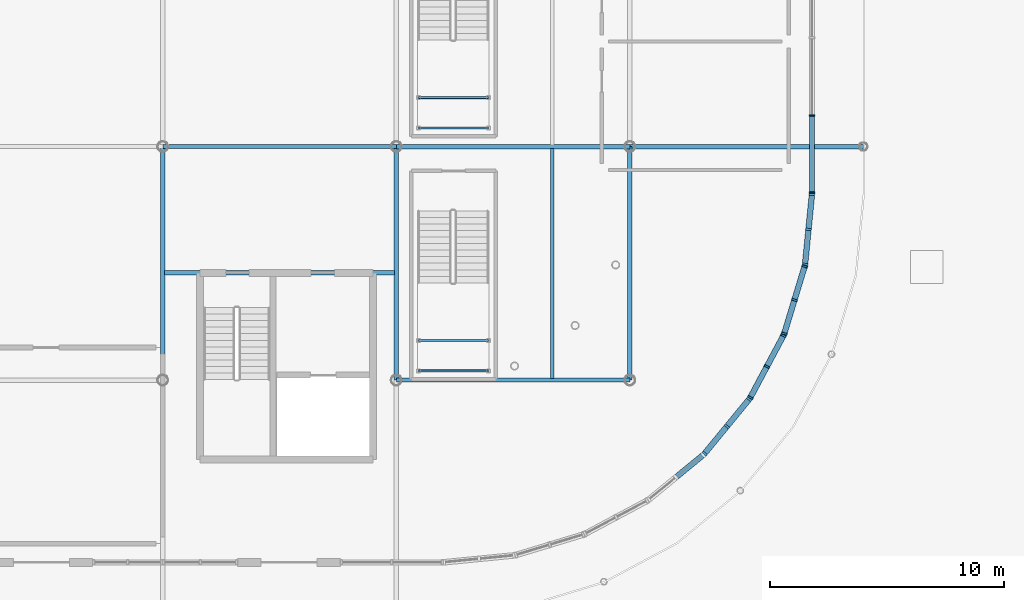
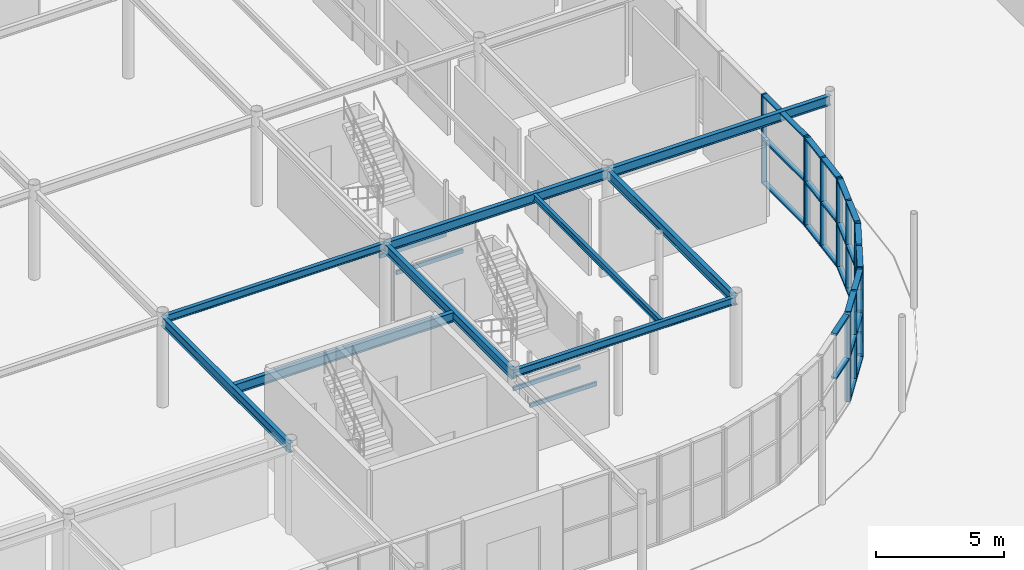
# One storey, part 65 of 119: 43 members, 13 beams, 6 elements without a shape of their own.
"""IFC4 building model written with IfcOpenShell, lengths in metres."""

from ifc_helpers import new_model, si_unit, derived_unit, direction, frame, origin, origin_2d_with_axis, place, context, subcontext, project, spatial, rectangle, hollow_rectangle, i_section, extrude, material, material_profile, profile_set, type_object, element, aggregate, save


model = new_model("IFC4")

# Units and contexts
model_context = context("Model", 3, precision=1e-05, world=origin(), true_north=direction((0.0, 1.0)))
body_context = subcontext(model_context, "Body", "Model", "MODEL_VIEW")
ifc_project = project(units=[si_unit("LENGTHUNIT", "METRE"), si_unit("AREAUNIT", "SQUARE_METRE"), si_unit("VOLUMEUNIT", "CUBIC_METRE"), si_unit("PLANEANGLEUNIT", "RADIAN"), si_unit("MASSUNIT", "GRAM", prefix="KILO"), derived_unit("THERMALTRANSMITTANCEUNIT", [(si_unit("POWERUNIT", "WATT"), 1), (si_unit("LENGTHUNIT", "METRE"), -2), (si_unit("THERMODYNAMICTEMPERATUREUNIT", "KELVIN"), -1)])], contexts=[model_context])

# Site, building, storey
site_placement = place(None, origin())
site = spatial("IfcSite", under=ifc_project, at=site_placement, CompositionType="ELEMENT")
building_placement = place(site_placement, origin())
building = spatial("IfcBuilding", under=site, at=building_placement, Name="Cinnabar Yard Market Hall", CompositionType="ELEMENT")
storey_placement = place(building_placement, origin())
storey = spatial("IfcBuildingStorey", under=building, at=storey_placement, Name="L00", CompositionType="ELEMENT", Elevation=0.0)

# Beams
ifc_material_1 = material(Name="Steel Grade 300 (300 MPa)", Category="steel")
ifc_material_profile_1 = material_profile(ifc_material_1, i_section(OverallWidth=0.18994140625, OverallDepth=0.453857421875, WebThickness=0.008544921875, FlangeThickness=0.0126953125, FilletRadius=0.011474609375, at=origin_2d_with_axis()), Name="460UB67.1")
ifc_profile_set_1 = profile_set([ifc_material_profile_1], Name="Steel Grade 300 (300 MPa)")
beam_type_1 = type_object("IfcBeamType", Name="BM-B05", PredefinedType="BEAM", material=ifc_profile_set_1)
beam_1_placement = place(storey_placement, frame((136.080078125, 28.60009765625, 4.01318359375), z_axis=(1.0, 0.0, 0.0), x_axis=(0.0, 1.0, 0.0)))
element("IfcBeam", 1, at=beam_1_placement, inside=storey, type_object=beam_type_1, Name="L00 Core Trimmer Girder 00141", PredefinedType="BEAM", context=body_context, shape_type="SweptSolid", body=[
    extrude(i_section(OverallWidth=0.18994140625, OverallDepth=0.453857421875, WebThickness=0.008544921875, FlangeThickness=0.0126953125, FilletRadius=0.011474609375, at=origin_2d_with_axis()), origin(), (0.0, 0.0, 1.0), 9.83984375),
])
for number, where, z_axis, x_axis, name in (
    (2, (136.0, 24.0, 4.01318359375), (0.0, 1.0, 0.0), (-1.0, 0.0, 0.0), "L00 Gallery Girder Y 00233"),
    (3, (146.0, 24.0, 4.01318359375), (0.0, 1.0, 0.0), (-1.0, 0.0, 0.0), "L00 Gallery Girder Y 00237"),
    (4, (156.0, 24.0, 4.01318359375), (0.0, 1.0, 0.0), (-1.0, 0.0, 0.0), "L00 Gallery Girder Y 00247"),
):
    element("IfcBeam", number, at=place(storey_placement, frame(where, z_axis=z_axis, x_axis=x_axis)), inside=storey, type_object=beam_type_1, Name=name, PredefinedType="BEAM", context=body_context, shape_type="SweptSolid", body=[
        extrude(i_section(OverallWidth=0.18994140625, OverallDepth=0.453857421875, WebThickness=0.008544921875, FlangeThickness=0.0126953125, FilletRadius=0.011474609375, at=origin_2d_with_axis()), origin(), (0.0, 0.0, 1.0), 10.0),
    ])
ifc_material_profile_2 = material_profile(ifc_material_1, i_section(OverallWidth=0.18994140625, OverallDepth=0.453857421875, WebThickness=0.008544921875, FlangeThickness=0.0126953125, FilletRadius=0.011474609375, at=origin_2d_with_axis()), Name="460UB67.1")
ifc_profile_set_2 = profile_set([ifc_material_profile_2], Name="Steel Grade 300 (300 MPa)")
beam_type_2 = type_object("IfcBeamType", Name="BM-B05E", PredefinedType="BEAM", material=ifc_profile_set_2)
beam_2_placement = place(storey_placement, frame((156.0, 34.0, 4.01318359375), z_axis=(1.0, 0.0, 0.0), x_axis=(0.0, 1.0, 0.0)))
element("IfcBeam", 5, at=beam_2_placement, inside=storey, type_object=beam_type_2, Name="L00 Gallery East Tie 00197", PredefinedType="BEAM", context=body_context, shape_type="SweptSolid", body=[
    extrude(i_section(OverallWidth=0.18994140625, OverallDepth=0.453857421875, WebThickness=0.008544921875, FlangeThickness=0.0126953125, FilletRadius=0.011474609375, at=origin_2d_with_axis()), origin(), (0.0, 0.0, 1.0), 10.0),
])
ifc_material_profile_3 = material_profile(ifc_material_1, i_section(OverallWidth=0.1708984375, OverallDepth=0.35205078125, WebThickness=0.0068359375, FlangeThickness=0.009765625, FilletRadius=0.011474609375, at=origin_2d_with_axis()), Name="360UB44.7")
ifc_profile_set_3 = profile_set([ifc_material_profile_3], Name="Steel Grade 300 (300 MPa)")
beam_type_3 = type_object("IfcBeamType", Name="BM-B11", PredefinedType="BEAM", material=ifc_profile_set_3)
for number, where, z_axis, x_axis, name in (
    (6, (136.0, 34.0, 4.06396484375), (1.0, 0.0, 0.0), (0.0, 1.0, 0.0), "L00 Gallery Girder X 00174"),
    (7, (146.0, 24.0, 4.06396484375), (1.0, 0.0, 0.0), (0.0, 1.0, 0.0), "L00 Gallery Girder X 00177"),
):
    element("IfcBeam", number, at=place(storey_placement, frame(where, z_axis=z_axis, x_axis=x_axis)), inside=storey, type_object=beam_type_3, Name=name, PredefinedType="BEAM", context=body_context, shape_type="SweptSolid", body=[
        extrude(i_section(OverallWidth=0.1708984375, OverallDepth=0.35205078125, WebThickness=0.0068359375, FlangeThickness=0.009765625, FilletRadius=0.011474609375, at=origin_2d_with_axis()), origin(), (0.0, 0.0, 1.0), 10.0),
    ])
ifc_material_profile_4 = material_profile(ifc_material_1, i_section(OverallWidth=0.18994140625, OverallDepth=0.453857421875, WebThickness=0.008544921875, FlangeThickness=0.0126953125, FilletRadius=0.011474609375, at=origin_2d_with_axis()), Name="460UB67.1")
ifc_profile_set_4 = profile_set([ifc_material_profile_4], Name="Steel Grade 300 (300 MPa)")
beam_type_4 = type_object("IfcBeamType", Name="BM-B14", PredefinedType="BEAM", material=ifc_profile_set_4)
beam_3_placement = place(storey_placement, frame((146.0, 34.0, 4.01318359375), z_axis=(1.0, 0.0, 0.0), x_axis=(0.0, 1.0, 0.0)))
element("IfcBeam", 8, at=beam_3_placement, inside=storey, type_object=beam_type_4, Name="L00 Gallery Girder X 00178", PredefinedType="BEAM", context=body_context, shape_type="SweptSolid", body=[
    extrude(i_section(OverallWidth=0.18994140625, OverallDepth=0.453857421875, WebThickness=0.008544921875, FlangeThickness=0.0126953125, FilletRadius=0.011474609375, at=origin_2d_with_axis()), origin(), (0.0, 0.0, 1.0), 10.0),
])
ifc_material_profile_5 = material_profile(ifc_material_1, i_section(OverallWidth=0.14892578125, OverallDepth=0.298095703125, WebThickness=0.005615234375, FlangeThickness=0.008056640625, FilletRadius=0.0087890625, at=origin_2d_with_axis()), Name="310UB32.0")
ifc_profile_set_5 = profile_set([ifc_material_profile_5], Name="Steel Grade 300 (300 MPa)")
beam_type_5 = type_object("IfcBeamType", Name="BM-J02", PredefinedType="JOIST", material=ifc_profile_set_5)
beam_4_placement = place(storey_placement, frame((152.669921875, 24.074951171875, 4.091064453125), z_axis=(0.0, 1.0, 0.0), x_axis=(-1.0, 0.0, 0.0)))
element("IfcBeam", 9, at=beam_4_placement, inside=storey, type_object=beam_type_5, Name="L00 Gallery Joist 00238", PredefinedType="JOIST", context=body_context, shape_type="SweptSolid", body=[
    extrude(i_section(OverallWidth=0.14892578125, OverallDepth=0.298095703125, WebThickness=0.005615234375, FlangeThickness=0.008056640625, FilletRadius=0.0087890625, at=origin_2d_with_axis()), origin(), (0.0, 0.0, 1.0), 9.85009765625),
])
ifc_material_2 = material(Name="Cold-formed steel C350L0", Category="steel")
ifc_material_profile_6 = material_profile(ifc_material_2, hollow_rectangle(XDim=0.10009765625, YDim=0.199951171875, WallThickness=0.006103515625, InnerFilletRadius=0.006103515625, OuterFilletRadius=0.011962890625, at=origin_2d_with_axis()), Name="200x100x6.0RHS")
ifc_profile_set_6 = profile_set([ifc_material_profile_6], Name="Cold-formed steel C350L0")
beam_type_6 = type_object("IfcBeamType", Name="BM-LN01", PredefinedType="LINTEL", material=ifc_profile_set_6)
for number, where, z_axis, x_axis, name in (
    (10, (146.949951171875, 34.800048828125, 1.949951171875), (1.0, 0.0, 0.0), (0.0, 1.0, 0.0), "Feature Stair Landing Beam S ST-F2 L00"),
    (11, (146.949951171875, 36.10009765625, 1.949951171875), (1.0, 0.0, 0.0), (0.0, 1.0, 0.0), "Feature Stair Landing Beam N ST-F2 L00"),
    (12, (146.949951171875, 24.39990234375, 1.949951171875), (1.0, 0.0, 0.0), (0.0, 1.0, 0.0), "Feature Stair Landing Beam S ST-F5 L00"),
    (13, (146.949951171875, 25.699951171875, 1.949951171875), (1.0, 0.0, 0.0), (0.0, 1.0, 0.0), "Feature Stair Landing Beam N ST-F5 L00"),
):
    element("IfcBeam", number, at=place(storey_placement, frame(where, z_axis=z_axis, x_axis=x_axis)), inside=storey, type_object=beam_type_6, Name=name, PredefinedType="LINTEL", context=body_context, shape_type="SweptSolid", body=[
        extrude(hollow_rectangle(XDim=0.10009765625, YDim=0.199951171875, WallThickness=0.006103515625, InnerFilletRadius=0.006103515625, OuterFilletRadius=0.011962890625, at=origin_2d_with_axis()), origin(), (0.0, 0.0, 1.0), 3.0),
    ])

# Curtain wall, members
ifc_material_3 = material(Name="Anodised bronze aluminium curved-chord facade", Category="aluminium")
curtain_wall_type_1 = type_object("IfcCurtainWallType", Name="CW-CWC031x42", PredefinedType="NOTDEFINED", material=ifc_material_3)
curtain_wall_1_placement = place(storey_placement, origin())
curtain_wall_1 = element("IfcCurtainWall", 14, at=curtain_wall_1_placement, inside=storey, type_object=curtain_wall_type_1, Name="Corner SE Chord 5 L00", PredefinedType="NOTDEFINED")
ifc_material_4 = material(Name="Anodised bronze aluminium", Category="aluminium")
ifc_material_profile_7 = material_profile(ifc_material_4, rectangle(XDim=0.239990234375, YDim=0.090087890625, at=origin_2d_with_axis()), Name="MUL-CWC")
ifc_profile_set_7 = profile_set([ifc_material_profile_7], Name="Anodised bronze aluminium")
member_type_1 = type_object("IfcMemberType", Name="CWM-CWC", PredefinedType="MULLION", material=ifc_profile_set_7)
member_1_placement = place(storey_placement, frame((159.200927734375, 20.862548828125, 0.0), z_axis=(0.0, 0.0, 1.0), x_axis=(-0.773018564222, 0.634383400924, 0.0)))
member_1 = element("IfcMember", 15, at=member_1_placement, type_object=member_type_1, Name="CWC031x42 mullion 1", PredefinedType="MULLION", context=body_context, shape_type="SweptSolid", body=[
    extrude(rectangle(XDim=0.239990234375, YDim=0.090087890625, at=origin_2d_with_axis()), origin(), (0.0, 0.0, 1.0), 4.239990234375),
])
member_2_placement = place(storey_placement, frame((160.15478515625, 22.02490234375, 0.0), z_axis=(0.0, 0.0, 1.0), x_axis=(-0.773018564222, 0.634383400924, 0.0)))
member_2 = element("IfcMember", 16, at=member_2_placement, type_object=member_type_1, Name="CWC031x42 mullion 2", PredefinedType="MULLION", context=body_context, shape_type="SweptSolid", body=[
    extrude(rectangle(XDim=0.239990234375, YDim=0.090087890625, at=origin_2d_with_axis()), origin(), (0.0, 0.0, 1.0), 4.239990234375),
])
member_3_placement = place(storey_placement, frame((161.108642578125, 23.187255859375, 0.0), z_axis=(0.0, 0.0, 1.0), x_axis=(-0.773018564222, 0.634383400924, 0.0)))
member_3 = element("IfcMember", 17, at=member_3_placement, type_object=member_type_1, Name="CWC031x42 mullion 3", PredefinedType="MULLION", context=body_context, shape_type="SweptSolid", body=[
    extrude(rectangle(XDim=0.239990234375, YDim=0.090087890625, at=origin_2d_with_axis()), origin(), (0.0, 0.0, 1.0), 4.239990234375),
])

curtain_wall_2_placement = place(storey_placement, origin())
curtain_wall_2 = element("IfcCurtainWall", 18, at=curtain_wall_2_placement, inside=storey, type_object=curtain_wall_type_1, Name="Corner SE Chord 6 L00", PredefinedType="NOTDEFINED")
member_4_placement = place(storey_placement, frame((161.158447265625, 23.26171875, 0.0), z_axis=(0.0, 0.0, 1.0), x_axis=(-0.881917320707, 0.471404114786, 0.0)))
member_4 = element("IfcMember", 19, at=member_4_placement, type_object=member_type_1, Name="CWC031x42 mullion 1", PredefinedType="MULLION", context=body_context, shape_type="SweptSolid", body=[
    extrude(rectangle(XDim=0.239990234375, YDim=0.090087890625, at=origin_2d_with_axis()), origin(), (0.0, 0.0, 1.0), 4.239990234375),
])
member_5_placement = place(storey_placement, frame((161.8671875, 24.587890625, 0.0), z_axis=(0.0, 0.0, 1.0), x_axis=(-0.881917320707, 0.471404114786, 0.0)))
member_5 = element("IfcMember", 20, at=member_5_placement, type_object=member_type_1, Name="CWC031x42 mullion 2", PredefinedType="MULLION", context=body_context, shape_type="SweptSolid", body=[
    extrude(rectangle(XDim=0.239990234375, YDim=0.090087890625, at=origin_2d_with_axis()), origin(), (0.0, 0.0, 1.0), 4.239990234375),
])
member_6_placement = place(storey_placement, frame((162.576171875, 25.913818359375, 0.0), z_axis=(0.0, 0.0, 1.0), x_axis=(-0.881917320707, 0.471404114786, 0.0)))
member_6 = element("IfcMember", 21, at=member_6_placement, type_object=member_type_1, Name="CWC031x42 mullion 3", PredefinedType="MULLION", context=body_context, shape_type="SweptSolid", body=[
    extrude(rectangle(XDim=0.239990234375, YDim=0.090087890625, at=origin_2d_with_axis()), origin(), (0.0, 0.0, 1.0), 4.239990234375),
])

curtain_wall_3_placement = place(storey_placement, origin())
curtain_wall_3 = element("IfcCurtainWall", 22, at=curtain_wall_3_placement, inside=storey, type_object=curtain_wall_type_1, Name="Corner SE Chord 7 L00", PredefinedType="NOTDEFINED")
member_7_placement = place(storey_placement, frame((162.6103515625, 25.99658203125, 0.0), z_axis=(0.0, 0.0, 1.0), x_axis=(-0.956942090856, 0.290278891325, 0.0)))
member_7 = element("IfcMember", 23, at=member_7_placement, type_object=member_type_1, Name="CWC031x42 mullion 1", PredefinedType="MULLION", context=body_context, shape_type="SweptSolid", body=[
    extrude(rectangle(XDim=0.239990234375, YDim=0.090087890625, at=origin_2d_with_axis()), origin(), (0.0, 0.0, 1.0), 4.239990234375),
])
member_8_placement = place(storey_placement, frame((163.046875, 27.435546875, 0.0), z_axis=(0.0, 0.0, 1.0), x_axis=(-0.956942090856, 0.290278891325, 0.0)))
member_8 = element("IfcMember", 24, at=member_8_placement, type_object=member_type_1, Name="CWC031x42 mullion 2", PredefinedType="MULLION", context=body_context, shape_type="SweptSolid", body=[
    extrude(rectangle(XDim=0.239990234375, YDim=0.090087890625, at=origin_2d_with_axis()), origin(), (0.0, 0.0, 1.0), 4.239990234375),
])
member_9_placement = place(storey_placement, frame((163.4833984375, 28.87451171875, 0.0), z_axis=(0.0, 0.0, 1.0), x_axis=(-0.956942090856, 0.290278891325, 0.0)))
member_9 = element("IfcMember", 25, at=member_9_placement, type_object=member_type_1, Name="CWC031x42 mullion 3", PredefinedType="MULLION", context=body_context, shape_type="SweptSolid", body=[
    extrude(rectangle(XDim=0.239990234375, YDim=0.090087890625, at=origin_2d_with_axis()), origin(), (0.0, 0.0, 1.0), 4.239990234375),
])

curtain_wall_4_placement = place(storey_placement, origin())
curtain_wall_4 = element("IfcCurtainWall", 26, at=curtain_wall_4_placement, inside=storey, type_object=curtain_wall_type_1, Name="Corner SE Chord 8 L00", PredefinedType="NOTDEFINED")
member_10_placement = place(storey_placement, frame((163.500732421875, 28.96240234375, 0.0), z_axis=(0.0, 0.0, 1.0), x_axis=(-0.995184408637, 0.098020369342, 0.0)))
member_10 = element("IfcMember", 27, at=member_10_placement, type_object=member_type_1, Name="CWC031x42 mullion 1", PredefinedType="MULLION", context=body_context, shape_type="SweptSolid", body=[
    extrude(rectangle(XDim=0.239990234375, YDim=0.090087890625, at=origin_2d_with_axis()), origin(), (0.0, 0.0, 1.0), 4.239990234375),
])
member_11_placement = place(storey_placement, frame((163.648193359375, 30.458740234375, 0.0), z_axis=(0.0, 0.0, 1.0), x_axis=(-0.995184408637, 0.098020369342, 0.0)))
member_11 = element("IfcMember", 28, at=member_11_placement, type_object=member_type_1, Name="CWC031x42 mullion 2", PredefinedType="MULLION", context=body_context, shape_type="SweptSolid", body=[
    extrude(rectangle(XDim=0.239990234375, YDim=0.090087890625, at=origin_2d_with_axis()), origin(), (0.0, 0.0, 1.0), 4.239990234375),
])
member_12_placement = place(storey_placement, frame((163.795654296875, 31.955322265625, 0.0), z_axis=(0.0, 0.0, 1.0), x_axis=(-0.995184408637, 0.098020369342, 0.0)))
member_12 = element("IfcMember", 29, at=member_12_placement, type_object=member_type_1, Name="CWC031x42 mullion 3", PredefinedType="MULLION", context=body_context, shape_type="SweptSolid", body=[
    extrude(rectangle(XDim=0.239990234375, YDim=0.090087890625, at=origin_2d_with_axis()), origin(), (0.0, 0.0, 1.0), 4.239990234375),
])

ifc_material_5 = material(Name="Anodised bronze aluminium and low-E glass", Category="aluminium")
curtain_wall_type_2 = type_object("IfcCurtainWallType", Name="CW-CWH100x42", PredefinedType="NOTDEFINED", material=ifc_material_5)
curtain_wall_5_placement = place(storey_placement, origin())
curtain_wall_5 = element("IfcCurtainWall", 30, at=curtain_wall_5_placement, inside=storey, type_object=curtain_wall_type_2, Name="Market Hall East Ground Glazing W1", PredefinedType="NOTDEFINED")
ifc_material_profile_8 = material_profile(ifc_material_4, rectangle(XDim=0.219970703125, YDim=0.080078125, at=origin_2d_with_axis()), Name="MUL-CWH")
ifc_profile_set_8 = profile_set([ifc_material_profile_8], Name="Anodised bronze aluminium")
member_type_2 = type_object("IfcMemberType", Name="CWM-CWH", PredefinedType="MULLION", material=ifc_profile_set_8)
member_13_placement = place(storey_placement, frame((163.800048828125, 32.0400390625, 0.0), z_axis=(0.0, 0.0, 1.0), x_axis=(-1.0, 0.0, 0.0)))
member_13 = element("IfcMember", 31, at=member_13_placement, type_object=member_type_2, Name="CWH100x42 mullion 1", PredefinedType="MULLION", context=body_context, shape_type="SweptSolid", body=[
    extrude(rectangle(XDim=0.219970703125, YDim=0.080078125, at=origin_2d_with_axis()), origin(), (0.0, 0.0, 1.0), 4.239990234375),
])
member_14_placement = place(storey_placement, frame((163.800048828125, 35.333251953125, 0.0), z_axis=(0.0, 0.0, 1.0), x_axis=(-1.0, 0.0, 0.0)))
member_14 = element("IfcMember", 32, at=member_14_placement, type_object=member_type_2, Name="CWH100x42 mullion 2", PredefinedType="MULLION", context=body_context, shape_type="SweptSolid", body=[
    extrude(rectangle(XDim=0.219970703125, YDim=0.080078125, at=origin_2d_with_axis()), origin(), (0.0, 0.0, 1.0), 4.239990234375),
])

curtain_wall_6_placement = place(storey_placement, origin())
curtain_wall_6 = element("IfcCurtainWall", 33, at=curtain_wall_6_placement, inside=storey, type_object=curtain_wall_type_1, Name="Corner SE Chord 4 L00", PredefinedType="NOTDEFINED")
ifc_material_profile_9 = material_profile(ifc_material_4, rectangle(XDim=0.239990234375, YDim=0.090087890625, at=origin_2d_with_axis()), Name="TRN-CWC")
ifc_profile_set_9 = profile_set([ifc_material_profile_9], Name="Anodised bronze aluminium")
member_type_3 = type_object("IfcMemberType", Name="CWT-CWC", PredefinedType="USERDEFINED", material=ifc_profile_set_9)
member_15_placement = place(storey_placement, frame((158.010009765625, 19.873779296875, 2.1201171875), z_axis=(0.773040795861, 0.634356309919, 0.0), x_axis=(-0.634356309919, 0.773040795861, 0.0)))
member_15 = element("IfcMember", 34, at=member_15_placement, type_object=member_type_3, Name="CWC031x42 transom 2.2", ObjectType="TRANSOM", PredefinedType="USERDEFINED", context=body_context, shape_type="SweptSolid", body=[
    extrude(rectangle(XDim=0.239990234375, YDim=0.090087890625, at=origin_2d_with_axis()), origin(), (0.0, 0.0, 1.0), 1.41357421875),
])
member_16_placement = place(storey_placement, frame((158.010009765625, 19.873779296875, 4.195068359375), z_axis=(0.773040795861, 0.634356309919, 0.0), x_axis=(-0.634356309919, 0.773040795861, 0.0)))
member_16 = element("IfcMember", 35, at=member_16_placement, type_object=member_type_3, Name="CWC031x42 transom 2.3", ObjectType="TRANSOM", PredefinedType="USERDEFINED", context=body_context, shape_type="SweptSolid", body=[
    extrude(rectangle(XDim=0.239990234375, YDim=0.090087890625, at=origin_2d_with_axis()), origin(), (0.0, 0.0, 1.0), 1.41357421875),
])
aggregate(curtain_wall_6, [member_15, member_16])

# Member
member_17_placement = place(storey_placement, frame((159.2294921875, 20.897216796875, 0.044921875), z_axis=(0.634356309919, 0.773040795861, 0.0), x_axis=(-0.773040795861, 0.634356309919, 0.0)))
member_17 = element("IfcMember", 36, at=member_17_placement, type_object=member_type_3, Name="CWC031x42 transom 1.1", ObjectType="TRANSOM", PredefinedType="USERDEFINED", context=body_context, shape_type="SweptSolid", body=[
    extrude(rectangle(XDim=0.239990234375, YDim=0.090087890625, at=origin_2d_with_axis()), origin(), (0.0, 0.0, 1.0), 1.41357421875),
])

member_18_placement = place(storey_placement, frame((159.2294921875, 20.897216796875, 2.1201171875), z_axis=(0.634356309919, 0.773040795861, 0.0), x_axis=(-0.773040795861, 0.634356309919, 0.0)))
member_18 = element("IfcMember", 37, at=member_18_placement, type_object=member_type_3, Name="CWC031x42 transom 1.2", ObjectType="TRANSOM", PredefinedType="USERDEFINED", context=body_context, shape_type="SweptSolid", body=[
    extrude(rectangle(XDim=0.239990234375, YDim=0.090087890625, at=origin_2d_with_axis()), origin(), (0.0, 0.0, 1.0), 1.41357421875),
])

member_19_placement = place(storey_placement, frame((159.2294921875, 20.897216796875, 4.195068359375), z_axis=(0.634356309919, 0.773040795861, 0.0), x_axis=(-0.773040795861, 0.634356309919, 0.0)))
member_19 = element("IfcMember", 38, at=member_19_placement, type_object=member_type_3, Name="CWC031x42 transom 1.3", ObjectType="TRANSOM", PredefinedType="USERDEFINED", context=body_context, shape_type="SweptSolid", body=[
    extrude(rectangle(XDim=0.239990234375, YDim=0.090087890625, at=origin_2d_with_axis()), origin(), (0.0, 0.0, 1.0), 1.41357421875),
])

member_20_placement = place(storey_placement, frame((160.183349609375, 22.0595703125, 0.044921875), z_axis=(0.634356309919, 0.773040795861, 0.0), x_axis=(-0.773040795861, 0.634356309919, 0.0)))
member_20 = element("IfcMember", 39, at=member_20_placement, type_object=member_type_3, Name="CWC031x42 transom 2.1", ObjectType="TRANSOM", PredefinedType="USERDEFINED", context=body_context, shape_type="SweptSolid", body=[
    extrude(rectangle(XDim=0.239990234375, YDim=0.090087890625, at=origin_2d_with_axis()), origin(), (0.0, 0.0, 1.0), 1.41357421875),
])

member_21_placement = place(storey_placement, frame((160.183349609375, 22.0595703125, 2.1201171875), z_axis=(0.634356309919, 0.773040795861, 0.0), x_axis=(-0.773040795861, 0.634356309919, 0.0)))
member_21 = element("IfcMember", 40, at=member_21_placement, type_object=member_type_3, Name="CWC031x42 transom 2.2", ObjectType="TRANSOM", PredefinedType="USERDEFINED", context=body_context, shape_type="SweptSolid", body=[
    extrude(rectangle(XDim=0.239990234375, YDim=0.090087890625, at=origin_2d_with_axis()), origin(), (0.0, 0.0, 1.0), 1.41357421875),
])

member_22_placement = place(storey_placement, frame((160.183349609375, 22.0595703125, 4.195068359375), z_axis=(0.634356309919, 0.773040795861, 0.0), x_axis=(-0.773040795861, 0.634356309919, 0.0)))
member_22 = element("IfcMember", 41, at=member_22_placement, type_object=member_type_3, Name="CWC031x42 transom 2.3", ObjectType="TRANSOM", PredefinedType="USERDEFINED", context=body_context, shape_type="SweptSolid", body=[
    extrude(rectangle(XDim=0.239990234375, YDim=0.090087890625, at=origin_2d_with_axis()), origin(), (0.0, 0.0, 1.0), 1.41357421875),
])

aggregate(curtain_wall_1, [member_1, member_2, member_3, member_17, member_18, member_19, member_20, member_21, member_22])

member_23_placement = place(storey_placement, frame((161.1796875, 23.30126953125, 0.044921875), z_axis=(0.471296210365, 0.881974989496, 0.0), x_axis=(-0.881974989496, 0.471296210365, 0.0)))
member_23 = element("IfcMember", 42, at=member_23_placement, type_object=member_type_3, Name="CWC031x42 transom 1.1", ObjectType="TRANSOM", PredefinedType="USERDEFINED", context=body_context, shape_type="SweptSolid", body=[
    extrude(rectangle(XDim=0.239990234375, YDim=0.090087890625, at=origin_2d_with_axis()), origin(), (0.0, 0.0, 1.0), 1.41357421875),
])

member_24_placement = place(storey_placement, frame((161.1796875, 23.30126953125, 2.1201171875), z_axis=(0.471296210365, 0.881974989496, 0.0), x_axis=(-0.881974989496, 0.471296210365, 0.0)))
member_24 = element("IfcMember", 43, at=member_24_placement, type_object=member_type_3, Name="CWC031x42 transom 1.2", ObjectType="TRANSOM", PredefinedType="USERDEFINED", context=body_context, shape_type="SweptSolid", body=[
    extrude(rectangle(XDim=0.239990234375, YDim=0.090087890625, at=origin_2d_with_axis()), origin(), (0.0, 0.0, 1.0), 1.41357421875),
])

member_25_placement = place(storey_placement, frame((161.1796875, 23.30126953125, 4.195068359375), z_axis=(0.471296210365, 0.881974989496, 0.0), x_axis=(-0.881974989496, 0.471296210365, 0.0)))
member_25 = element("IfcMember", 44, at=member_25_placement, type_object=member_type_3, Name="CWC031x42 transom 1.3", ObjectType="TRANSOM", PredefinedType="USERDEFINED", context=body_context, shape_type="SweptSolid", body=[
    extrude(rectangle(XDim=0.239990234375, YDim=0.090087890625, at=origin_2d_with_axis()), origin(), (0.0, 0.0, 1.0), 1.41357421875),
])

member_26_placement = place(storey_placement, frame((161.888427734375, 24.62744140625, 0.044921875), z_axis=(0.471430533224, 0.881903198965, 0.0), x_axis=(-0.881903198965, 0.471430533224, 0.0)))
member_26 = element("IfcMember", 45, at=member_26_placement, type_object=member_type_3, Name="CWC031x42 transom 2.1", ObjectType="TRANSOM", PredefinedType="USERDEFINED", context=body_context, shape_type="SweptSolid", body=[
    extrude(rectangle(XDim=0.239990234375, YDim=0.090087890625, at=origin_2d_with_axis()), origin(), (0.0, 0.0, 1.0), 1.413818359375),
])

member_27_placement = place(storey_placement, frame((161.888427734375, 24.62744140625, 2.1201171875), z_axis=(0.471430533224, 0.881903198965, 0.0), x_axis=(-0.881903198965, 0.471430533224, 0.0)))
member_27 = element("IfcMember", 46, at=member_27_placement, type_object=member_type_3, Name="CWC031x42 transom 2.2", ObjectType="TRANSOM", PredefinedType="USERDEFINED", context=body_context, shape_type="SweptSolid", body=[
    extrude(rectangle(XDim=0.239990234375, YDim=0.090087890625, at=origin_2d_with_axis()), origin(), (0.0, 0.0, 1.0), 1.413818359375),
])

member_28_placement = place(storey_placement, frame((161.888427734375, 24.62744140625, 4.195068359375), z_axis=(0.471430533224, 0.881903198965, 0.0), x_axis=(-0.881903198965, 0.471430533224, 0.0)))
member_28 = element("IfcMember", 47, at=member_28_placement, type_object=member_type_3, Name="CWC031x42 transom 2.3", ObjectType="TRANSOM", PredefinedType="USERDEFINED", context=body_context, shape_type="SweptSolid", body=[
    extrude(rectangle(XDim=0.239990234375, YDim=0.090087890625, at=origin_2d_with_axis()), origin(), (0.0, 0.0, 1.0), 1.413818359375),
])

aggregate(curtain_wall_2, [member_4, member_5, member_6, member_23, member_24, member_25, member_26, member_27, member_28])

member_29_placement = place(storey_placement, frame((162.62353515625, 26.039794921875, 0.044921875), z_axis=(0.290151195166, 0.956980816915, 0.0), x_axis=(-0.956980816915, 0.290151195166, 0.0)))
member_29 = element("IfcMember", 48, at=member_29_placement, type_object=member_type_3, Name="CWC031x42 transom 1.1", ObjectType="TRANSOM", PredefinedType="USERDEFINED", context=body_context, shape_type="SweptSolid", body=[
    extrude(rectangle(XDim=0.239990234375, YDim=0.090087890625, at=origin_2d_with_axis()), origin(), (0.0, 0.0, 1.0), 1.41357421875),
])

member_30_placement = place(storey_placement, frame((162.62353515625, 26.039794921875, 2.1201171875), z_axis=(0.290151195166, 0.956980816915, 0.0), x_axis=(-0.956980816915, 0.290151195166, 0.0)))
member_30 = element("IfcMember", 49, at=member_30_placement, type_object=member_type_3, Name="CWC031x42 transom 1.2", ObjectType="TRANSOM", PredefinedType="USERDEFINED", context=body_context, shape_type="SweptSolid", body=[
    extrude(rectangle(XDim=0.239990234375, YDim=0.090087890625, at=origin_2d_with_axis()), origin(), (0.0, 0.0, 1.0), 1.41357421875),
])

member_31_placement = place(storey_placement, frame((162.62353515625, 26.039794921875, 4.195068359375), z_axis=(0.290151195166, 0.956980816915, 0.0), x_axis=(-0.956980816915, 0.290151195166, 0.0)))
member_31 = element("IfcMember", 50, at=member_31_placement, type_object=member_type_3, Name="CWC031x42 transom 1.3", ObjectType="TRANSOM", PredefinedType="USERDEFINED", context=body_context, shape_type="SweptSolid", body=[
    extrude(rectangle(XDim=0.239990234375, YDim=0.090087890625, at=origin_2d_with_axis()), origin(), (0.0, 0.0, 1.0), 1.41357421875),
])

member_32_placement = place(storey_placement, frame((163.059814453125, 27.478759765625, 0.044921875), z_axis=(0.290309352341, 0.956932850279, 0.0), x_axis=(-0.956932850279, 0.290309352341, 0.0)))
member_32 = element("IfcMember", 51, at=member_32_placement, type_object=member_type_3, Name="CWC031x42 transom 2.1", ObjectType="TRANSOM", PredefinedType="USERDEFINED", context=body_context, shape_type="SweptSolid", body=[
    extrude(rectangle(XDim=0.239990234375, YDim=0.090087890625, at=origin_2d_with_axis()), origin(), (0.0, 0.0, 1.0), 1.41357421875),
])

member_33_placement = place(storey_placement, frame((163.059814453125, 27.478759765625, 2.1201171875), z_axis=(0.290309352341, 0.956932850279, 0.0), x_axis=(-0.956932850279, 0.290309352341, 0.0)))
member_33 = element("IfcMember", 52, at=member_33_placement, type_object=member_type_3, Name="CWC031x42 transom 2.2", ObjectType="TRANSOM", PredefinedType="USERDEFINED", context=body_context, shape_type="SweptSolid", body=[
    extrude(rectangle(XDim=0.239990234375, YDim=0.090087890625, at=origin_2d_with_axis()), origin(), (0.0, 0.0, 1.0), 1.41357421875),
])

member_34_placement = place(storey_placement, frame((163.059814453125, 27.478759765625, 4.195068359375), z_axis=(0.290309352341, 0.956932850279, 0.0), x_axis=(-0.956932850279, 0.290309352341, 0.0)))
member_34 = element("IfcMember", 53, at=member_34_placement, type_object=member_type_3, Name="CWC031x42 transom 2.3", ObjectType="TRANSOM", PredefinedType="USERDEFINED", context=body_context, shape_type="SweptSolid", body=[
    extrude(rectangle(XDim=0.239990234375, YDim=0.090087890625, at=origin_2d_with_axis()), origin(), (0.0, 0.0, 1.0), 1.41357421875),
])

aggregate(curtain_wall_3, [member_7, member_8, member_9, member_29, member_30, member_31, member_32, member_33, member_34])

member_35_placement = place(storey_placement, frame((163.505126953125, 29.007080078125, 0.044921875), z_axis=(0.098084531214, 0.995178086946, 0.0), x_axis=(-0.995178086946, 0.098084531214, 0.0)))
member_35 = element("IfcMember", 54, at=member_35_placement, type_object=member_type_3, Name="CWC031x42 transom 1.1", ObjectType="TRANSOM", PredefinedType="USERDEFINED", context=body_context, shape_type="SweptSolid", body=[
    extrude(rectangle(XDim=0.239990234375, YDim=0.090087890625, at=origin_2d_with_axis()), origin(), (0.0, 0.0, 1.0), 1.413818359375),
])

member_36_placement = place(storey_placement, frame((163.505126953125, 29.007080078125, 2.1201171875), z_axis=(0.098084531214, 0.995178086946, 0.0), x_axis=(-0.995178086946, 0.098084531214, 0.0)))
member_36 = element("IfcMember", 55, at=member_36_placement, type_object=member_type_3, Name="CWC031x42 transom 1.2", ObjectType="TRANSOM", PredefinedType="USERDEFINED", context=body_context, shape_type="SweptSolid", body=[
    extrude(rectangle(XDim=0.239990234375, YDim=0.090087890625, at=origin_2d_with_axis()), origin(), (0.0, 0.0, 1.0), 1.413818359375),
])

member_37_placement = place(storey_placement, frame((163.505126953125, 29.007080078125, 4.195068359375), z_axis=(0.098084531214, 0.995178086946, 0.0), x_axis=(-0.995178086946, 0.098084531214, 0.0)))
member_37 = element("IfcMember", 56, at=member_37_placement, type_object=member_type_3, Name="CWC031x42 transom 1.3", ObjectType="TRANSOM", PredefinedType="USERDEFINED", context=body_context, shape_type="SweptSolid", body=[
    extrude(rectangle(XDim=0.239990234375, YDim=0.090087890625, at=origin_2d_with_axis()), origin(), (0.0, 0.0, 1.0), 1.413818359375),
])

member_38_placement = place(storey_placement, frame((163.652587890625, 30.503662109375, 0.044921875), z_axis=(0.098101390058, 0.995176425197, 0.0), x_axis=(-0.995176425197, 0.098101390058, 0.0)))
member_38 = element("IfcMember", 57, at=member_38_placement, type_object=member_type_3, Name="CWC031x42 transom 2.1", ObjectType="TRANSOM", PredefinedType="USERDEFINED", context=body_context, shape_type="SweptSolid", body=[
    extrude(rectangle(XDim=0.239990234375, YDim=0.090087890625, at=origin_2d_with_axis()), origin(), (0.0, 0.0, 1.0), 1.41357421875),
])

member_39_placement = place(storey_placement, frame((163.652587890625, 30.503662109375, 2.1201171875), z_axis=(0.098101390058, 0.995176425197, 0.0), x_axis=(-0.995176425197, 0.098101390058, 0.0)))
member_39 = element("IfcMember", 58, at=member_39_placement, type_object=member_type_3, Name="CWC031x42 transom 2.2", ObjectType="TRANSOM", PredefinedType="USERDEFINED", context=body_context, shape_type="SweptSolid", body=[
    extrude(rectangle(XDim=0.239990234375, YDim=0.090087890625, at=origin_2d_with_axis()), origin(), (0.0, 0.0, 1.0), 1.41357421875),
])

member_40_placement = place(storey_placement, frame((163.652587890625, 30.503662109375, 4.195068359375), z_axis=(0.098101390058, 0.995176425197, 0.0), x_axis=(-0.995176425197, 0.098101390058, 0.0)))
member_40 = element("IfcMember", 59, at=member_40_placement, type_object=member_type_3, Name="CWC031x42 transom 2.3", ObjectType="TRANSOM", PredefinedType="USERDEFINED", context=body_context, shape_type="SweptSolid", body=[
    extrude(rectangle(XDim=0.239990234375, YDim=0.090087890625, at=origin_2d_with_axis()), origin(), (0.0, 0.0, 1.0), 1.41357421875),
])

aggregate(curtain_wall_4, [member_10, member_11, member_12, member_35, member_36, member_37, member_38, member_39, member_40])

ifc_material_profile_10 = material_profile(ifc_material_4, rectangle(XDim=0.219970703125, YDim=0.080078125, at=origin_2d_with_axis()), Name="TRN-CWH")
ifc_profile_set_10 = profile_set([ifc_material_profile_10], Name="Anodised bronze aluminium")
member_type_4 = type_object("IfcMemberType", Name="CWT-CWH", PredefinedType="USERDEFINED", material=ifc_profile_set_10)
member_41_placement = place(storey_placement, frame((163.800048828125, 32.080078125, 0.0400390625), z_axis=(0.0, 1.0, 0.0), x_axis=(-1.0, 0.0, 0.0)))
member_41 = element("IfcMember", 60, at=member_41_placement, type_object=member_type_4, Name="CWH100x42 transom 1.1", ObjectType="TRANSOM", PredefinedType="USERDEFINED", context=body_context, shape_type="SweptSolid", body=[
    extrude(rectangle(XDim=0.219970703125, YDim=0.080078125, at=origin_2d_with_axis()), origin(), (0.0, 0.0, 1.0), 3.213134765625),
])

member_42_placement = place(storey_placement, frame((163.800048828125, 32.080078125, 2.1201171875), z_axis=(0.0, 1.0, 0.0), x_axis=(-1.0, 0.0, 0.0)))
member_42 = element("IfcMember", 61, at=member_42_placement, type_object=member_type_4, Name="CWH100x42 transom 1.2", ObjectType="TRANSOM", PredefinedType="USERDEFINED", context=body_context, shape_type="SweptSolid", body=[
    extrude(rectangle(XDim=0.219970703125, YDim=0.080078125, at=origin_2d_with_axis()), origin(), (0.0, 0.0, 1.0), 3.213134765625),
])

member_43_placement = place(storey_placement, frame((163.800048828125, 32.080078125, 4.199951171875), z_axis=(0.0, 1.0, 0.0), x_axis=(-1.0, 0.0, 0.0)))
member_43 = element("IfcMember", 62, at=member_43_placement, type_object=member_type_4, Name="CWH100x42 transom 1.3", ObjectType="TRANSOM", PredefinedType="USERDEFINED", context=body_context, shape_type="SweptSolid", body=[
    extrude(rectangle(XDim=0.219970703125, YDim=0.080078125, at=origin_2d_with_axis()), origin(), (0.0, 0.0, 1.0), 3.213134765625),
])

aggregate(curtain_wall_5, [member_13, member_14, member_41, member_42, member_43])

save(model, "model.ifc")
